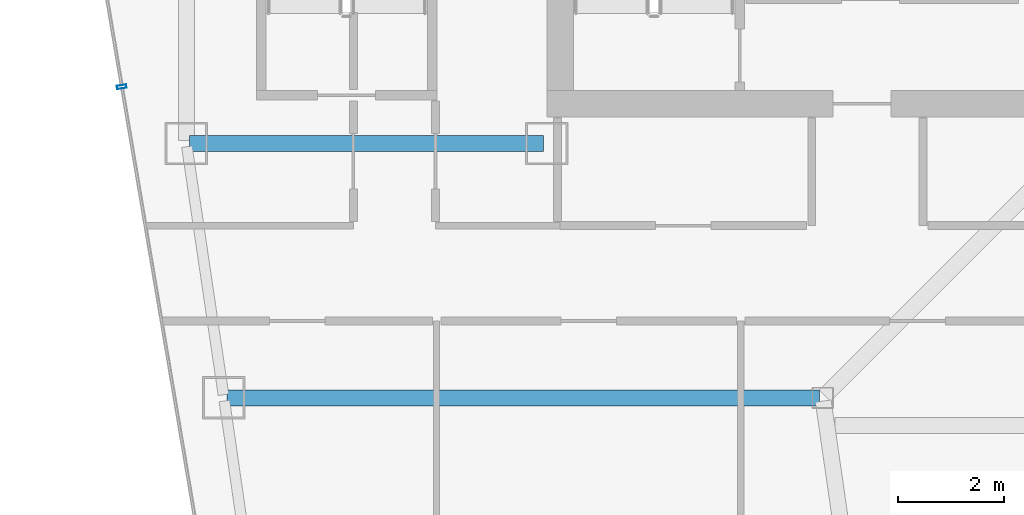
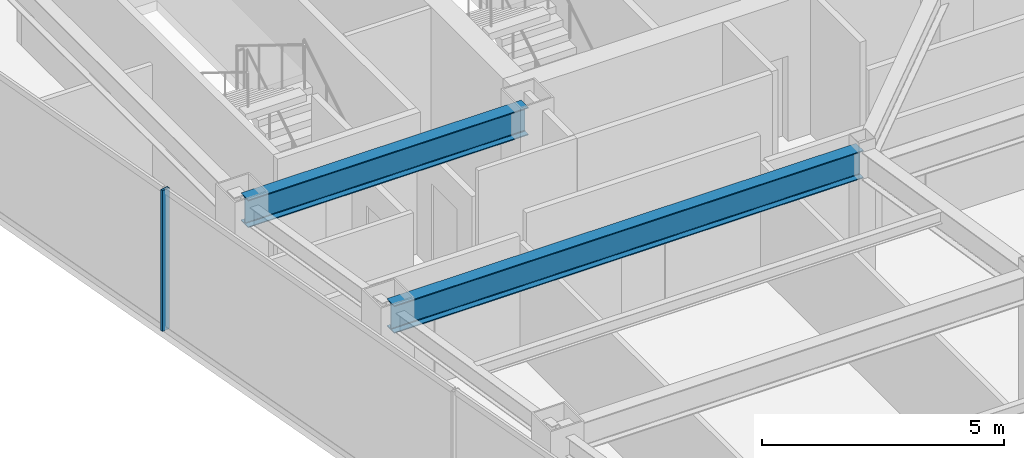
# One storey, part 11 of 36: 2 beams, 1 member, 1 element without a shape of its own.
"""IFC4 building model written with IfcOpenShell, lengths in metres."""

from ifc_helpers import new_model, si_unit, direction, frame, origin, origin_2d, place, context, subcontext, project, spatial, hollow_rectangle, i_section, extrude, material, material_profile, profile_set, type_object, element, aggregate, save


model = new_model("IFC4")

# Units and contexts
model_context = context("Model", 3, precision=1e-05, world=origin(), true_north=direction((0.0, 1.0)))
body_context = subcontext(model_context, "Body", "Model", "MODEL_VIEW")
ifc_project = project(units=[si_unit("LENGTHUNIT", "METRE"), si_unit("AREAUNIT", "SQUARE_METRE"), si_unit("VOLUMEUNIT", "CUBIC_METRE"), si_unit("PLANEANGLEUNIT", "RADIAN"), si_unit("MASSUNIT", "GRAM", prefix="KILO")], contexts=[model_context])

# Site, building, storey
site_placement = place(None, origin())
site = spatial("IfcSite", under=ifc_project, at=site_placement, CompositionType="ELEMENT")
building_placement = place(site_placement, origin())
building = spatial("IfcBuilding", under=site, at=building_placement, Name="Saevonmaru Cultural Tower", CompositionType="ELEMENT")
storey_placement = place(building_placement, frame((0.0, 0.0, 205.60009765625)))
storey = spatial("IfcBuildingStorey", under=building, at=storey_placement, Name="L47", CompositionType="ELEMENT", Elevation=205.60009765625)

# Beams
ifc_material_1 = material(Name="Steel SM355", Category="steel")
ifc_material_profile_1 = material_profile(ifc_material_1, i_section(OverallWidth=0.300048828125, OverallDepth=0.699951171875, WebThickness=0.012939453125, FlangeThickness=0.02392578125, FilletRadius=0.02587890625, at=origin_2d()), Name="H-700x300x13x24")
ifc_profile_set_1 = profile_set([ifc_material_profile_1], Name="Steel SM355")
beam_type = type_object("IfcBeamType", Name="BM-G-H700", PredefinedType="BEAM", material=ifc_profile_set_1)
beam_1_placement = place(storey_placement, frame((6.860107421875, 42.39990234375, 3.199951171875), z_axis=(1.0, 0.0, 0.0), x_axis=(0.0, 1.0, 0.0)))
element("IfcBeam", 1, at=beam_1_placement, inside=storey, type_object=beam_type, Name="L47 Core South Girder 1", PredefinedType="BEAM", context=body_context, shape_type="SweptSolid", body=[
    extrude(i_section(OverallWidth=0.300048828125, OverallDepth=0.699951171875, WebThickness=0.012939453125, FlangeThickness=0.02392578125, FilletRadius=0.02587890625, at=origin_2d()), origin(), (0.0, 0.0, 1.0), 6.679931640625),
])
beam_2_placement = place(storey_placement, frame((7.568115234375, 37.60009765625, 3.199951171875), z_axis=(1.0, 0.0, 0.0), x_axis=(0.0, 1.0, 0.0)))
element("IfcBeam", 2, at=beam_2_placement, inside=storey, type_object=beam_type, Name="L47 West Wing Transverse Girder 4", PredefinedType="BEAM", context=body_context, shape_type="SweptSolid", body=[
    extrude(i_section(OverallWidth=0.300048828125, OverallDepth=0.699951171875, WebThickness=0.012939453125, FlangeThickness=0.02392578125, FilletRadius=0.02587890625, at=origin_2d()), origin(), (0.0, 0.0, 1.0), 11.179931640625),
])

# Curtain wall, member
ifc_material_2 = material(Name="Satin Bronze Anodised Aluminium", Category="aluminium")
curtain_wall_type = type_object("IfcCurtainWallType", Name="CW-TYP-B", PredefinedType="NOTDEFINED", material=ifc_material_2)
curtain_wall_placement = place(storey_placement, origin())
curtain_wall = element("IfcCurtainWall", 3, at=curtain_wall_placement, inside=storey, type_object=curtain_wall_type, Name="L47 Unitised Curtain Wall E12", PredefinedType="NOTDEFINED")
ifc_material_profile_2 = material_profile(ifc_material_2, hollow_rectangle(XDim=0.06494140625, YDim=0.179931640625, WallThickness=0.00390625, at=origin_2d()), Name="ALU-MULL-180x65x4")
ifc_profile_set_2 = profile_set([ifc_material_profile_2], Name="Satin Bronze Anodised Aluminium")
member_type = type_object("IfcMemberType", Name="ML-CW-180x65", PredefinedType="MULLION", material=ifc_profile_set_2)
member_placement = place(storey_placement, frame((5.579345703125, 43.470458984375, 0.0), z_axis=(0.0, 0.0, 1.0), x_axis=(0.16692169721, -0.985970155228, 0.0)))
member = element("IfcMember", 4, at=member_placement, type_object=member_type, Name="CW-TW-L47-E12 mullion 2", PredefinedType="MULLION", context=body_context, shape_type="SweptSolid", body=[
    extrude(hollow_rectangle(XDim=0.06494140625, YDim=0.179931640625, WallThickness=0.00390625, at=origin_2d()), origin(), (0.0, 0.0, 1.0), 3.5498046875),
])
aggregate(curtain_wall, [member])

save(model, "model.ifc")
